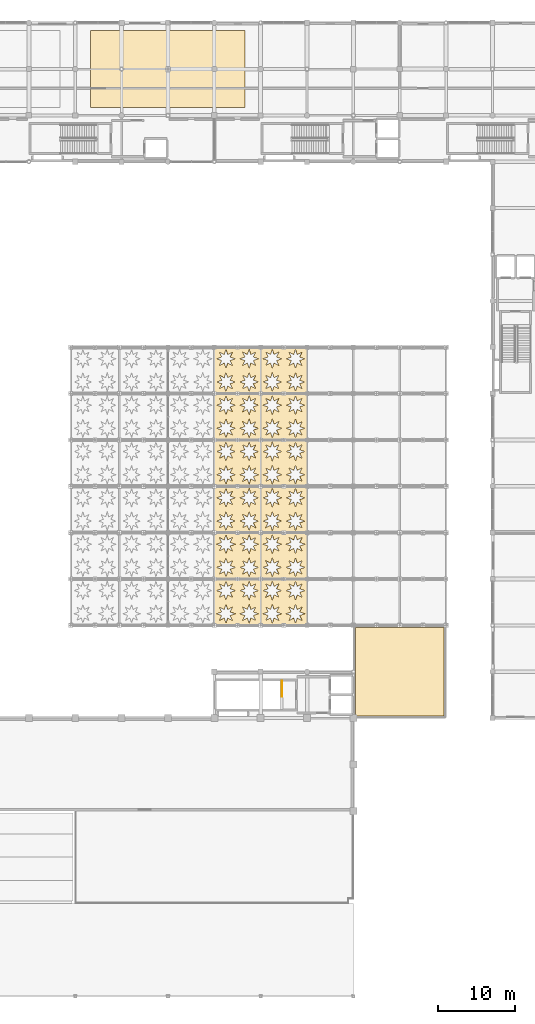
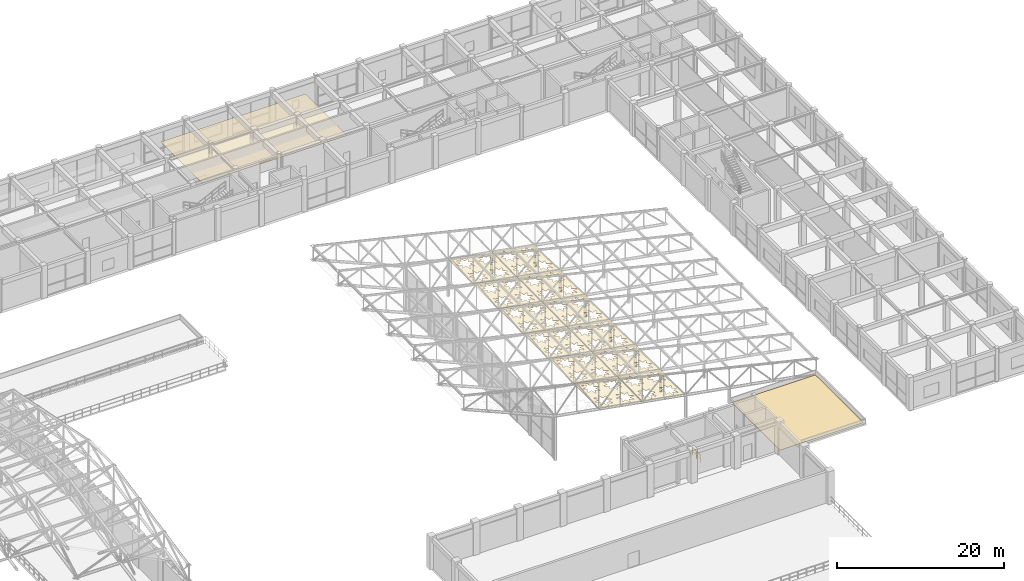
# One storey, part 111 of 112: 14 coverings, 1 railing.
"""IFC4 building model written with IfcOpenShell, lengths in metres."""

from ifc_helpers import new_model, si_unit, direction, frame, origin, origin_2d, place, context, subcontext, project, spatial, polyline, circle, outline, extrude, material, layer, layer_set, type_object, element, save


model = new_model("IFC4")

# Units and contexts
model_context = context("Model", 3, precision=1e-05, world=origin(), true_north=direction((0.0, 1.0)))
body_context = subcontext(model_context, "Body", "Model", "MODEL_VIEW")
ifc_project = project(units=[si_unit("LENGTHUNIT", "METRE"), si_unit("AREAUNIT", "SQUARE_METRE"), si_unit("VOLUMEUNIT", "CUBIC_METRE"), si_unit("PLANEANGLEUNIT", "RADIAN"), si_unit("MASSUNIT", "GRAM", prefix="KILO"), si_unit("THERMODYNAMICTEMPERATUREUNIT", "KELVIN"), si_unit("POWERUNIT", "WATT")], contexts=[model_context])

# Site, building, storey
site_placement = place(None, origin())
site = spatial("IfcSite", under=ifc_project, at=site_placement, CompositionType="ELEMENT")
building_placement = place(site_placement, origin())
building = spatial("IfcBuilding", under=site, at=building_placement, Name="Phaisarnlok Congress Hotel", CompositionType="ELEMENT")
storey_placement = place(building_placement, frame((0.0, 0.0, 19.800048828125)))
storey = spatial("IfcBuildingStorey", under=building, at=storey_placement, Name="L04", CompositionType="ELEMENT", Elevation=19.800048828125)

# Coverings
ifc_material_1 = material(Name="Perforated Timber & Mineral-Fibre Acoustic Ceiling", Category="wood")
ifc_layer_1 = layer(ifc_material_1, 0.01806640625, Name="Perforated Timber & Mineral-Fibre Acoustic Ceiling")
ifc_layer_set_1 = layer_set([ifc_layer_1], Name="Perforated Timber & Mineral-Fibre Acoustic Ceiling")
covering_type_1 = type_object("IfcCoveringType", Name="CLG-AC-18", PredefinedType="CEILING", material=ifc_layer_set_1)
covering_1_placement = place(storey_placement, frame((0.0, 0.0, 3.199951171875)))
element("IfcCovering", 1, at=covering_1_placement, inside=storey, type_object=covering_type_1, Name="Suspended ceiling CLG-01 (L04)", PredefinedType="CEILING", context=body_context, shape_type="SweptSolid", body=[
    extrude(outline(polyline([(110.0, 115.0), (110.0, 125.0), (130.0, 125.0), (130.0, 115.0), (110.0, 115.0)])), origin(), (0.0, 0.0, 1.0), 0.01806640625),
])
ifc_material_2 = material(Name="TPO Waterproofing Membrane & Rigid PIR Insulation", Category="other")
ifc_layer_2 = layer(ifc_material_2, 0.050048828125, Name="TPO Waterproofing Membrane & Rigid PIR Insulation")
ifc_layer_set_2 = layer_set([ifc_layer_2], Name="TPO Waterproofing Membrane & Rigid PIR Insulation")
covering_type_2 = type_object("IfcCoveringType", Name="COV-ROOF-MEMB", PredefinedType="ROOFING", material=ifc_layer_set_2)
covering_2_placement = place(storey_placement, origin())
element("IfcCovering", 2, at=covering_2_placement, inside=storey, type_object=covering_type_2, Name="Podium roof waterproofing membrane RF-01 (L04 pod_sec_se)", PredefinedType="ROOFING", context=body_context, shape_type="SweptSolid", body=[
    extrude(outline(polyline([(144.25, 36.25), (155.75, 36.25), (155.75, 47.75), (144.25, 47.75), (144.25, 36.25)])), origin(), (0.0, 0.0, 1.0), 0.050048828125),
])
ifc_material_3 = material(Name="Perforated Acoustic Aluminium Soffit Panel", Category="aluminium")
ifc_layer_3 = layer(ifc_material_3, 0.044921875, Name="Perforated Acoustic Aluminium Soffit Panel")
ifc_layer_set_3 = layer_set([ifc_layer_3], Name="Perforated Acoustic Aluminium Soffit Panel")
covering_type_3 = type_object("IfcCoveringType", Name="COV-SOFFIT-STAR", PredefinedType="CLADDING", material=ifc_layer_set_3)
covering_3_placement = place(storey_placement, frame((138.0, 48.0, 3.219970703125), z_axis=(0.175030745743, 0.0, 0.984562968044), x_axis=(0.0, 1.0, 0.0)))
element("IfcCovering", 3, at=covering_3_placement, inside=storey, type_object=covering_type_3, Name="Cloister wing roof star-pierced acoustic soffit panel CL-01", PredefinedType="CLADDING", context=body_context, shape_type="SweptSolid", body=[
    extrude(outline(polyline([(0.0, 0.0), (6.0, 0.0), (6.0, 6.094074421585321), (0.0, 6.094074421585321), (0.0, 0.0)]), holes=[polyline([(2.0455, 1.2976), (2.3697, 0.6538), (1.7259, 0.9781), (1.5, 0.2935), (1.2741, 0.9781), (0.6303, 0.6538), (0.9545, 1.2976), (0.27, 1.5235), (0.9545, 1.7495), (0.6303, 2.3933), (1.2741, 2.069), (1.5, 2.7535), (1.7259, 2.069), (2.3697, 2.3933), (2.0455, 1.7495), (2.73, 1.5235), (2.0455, 1.2976)]), polyline([(2.0455, 4.3446), (2.3697, 3.7008), (1.7259, 4.0251), (1.5, 3.3406), (1.2741, 4.0251), (0.6303, 3.7008), (0.9545, 4.3446), (0.27, 4.5706), (0.9545, 4.7965), (0.6303, 5.4403), (1.2741, 5.116), (1.5, 5.8006), (1.7259, 5.116), (2.3697, 5.4403), (2.0455, 4.7965), (2.73, 4.5706), (2.0455, 4.3446)]), polyline([(5.0455, 1.2976), (5.3697, 0.6538), (4.7259, 0.9781), (4.5, 0.2935), (4.2741, 0.9781), (3.6303, 0.6538), (3.9545, 1.2976), (3.27, 1.5235), (3.9545, 1.7495), (3.6303, 2.3933), (4.2741, 2.069), (4.5, 2.7535), (4.7259, 2.069), (5.3697, 2.3933), (5.0455, 1.7495), (5.73, 1.5235), (5.0455, 1.2976)]), polyline([(5.0455, 4.3446), (5.3697, 3.7008), (4.7259, 4.0251), (4.5, 3.3406), (4.2741, 4.0251), (3.6303, 3.7008), (3.9545, 4.3446), (3.27, 4.5706), (3.9545, 4.7965), (3.6303, 5.4403), (4.2741, 5.116), (4.5, 5.8006), (4.7259, 5.116), (5.3697, 5.4403), (5.0455, 4.7965), (5.73, 4.5706), (5.0455, 4.3446)])]), origin(), (0.0, 0.0, 1.0), 0.044921875),
])
covering_4_placement = place(storey_placement, frame((132.0, 48.0, 4.28662109375), z_axis=(0.175030745743, 0.0, 0.984562968044), x_axis=(0.0, 1.0, 0.0)))
element("IfcCovering", 4, at=covering_4_placement, inside=storey, type_object=covering_type_3, Name="Cloister wing roof star-pierced acoustic soffit panel CL-01", PredefinedType="CLADDING", context=body_context, shape_type="SweptSolid", body=[
    extrude(outline(polyline([(0.0, 0.0), (6.0, 0.0), (6.0, 6.094074421585321), (0.0, 6.094074421585321), (0.0, 0.0)]), holes=[polyline([(2.0455, 1.2976), (2.3697, 0.6538), (1.7259, 0.9781), (1.5, 0.2935), (1.2741, 0.9781), (0.6303, 0.6538), (0.9545, 1.2976), (0.27, 1.5235), (0.9545, 1.7495), (0.6303, 2.3933), (1.2741, 2.069), (1.5, 2.7535), (1.7259, 2.069), (2.3697, 2.3933), (2.0455, 1.7495), (2.73, 1.5235), (2.0455, 1.2976)]), polyline([(2.0455, 4.3446), (2.3697, 3.7008), (1.7259, 4.0251), (1.5, 3.3405), (1.2741, 4.0251), (0.6303, 3.7008), (0.9545, 4.3446), (0.27, 4.5705), (0.9545, 4.7965), (0.6303, 5.4403), (1.2741, 5.116), (1.5, 5.8005), (1.7259, 5.116), (2.3697, 5.4403), (2.0455, 4.7965), (2.73, 4.5705), (2.0455, 4.3446)]), polyline([(5.0455, 1.2976), (5.3697, 0.6538), (4.7259, 0.9781), (4.5, 0.2935), (4.2741, 0.9781), (3.6303, 0.6538), (3.9545, 1.2976), (3.27, 1.5235), (3.9545, 1.7495), (3.6303, 2.3933), (4.2741, 2.069), (4.5, 2.7535), (4.7259, 2.069), (5.3697, 2.3933), (5.0455, 1.7495), (5.73, 1.5235), (5.0455, 1.2976)]), polyline([(5.0455, 4.3446), (5.3697, 3.7008), (4.7259, 4.0251), (4.5, 3.3405), (4.2741, 4.0251), (3.6303, 3.7008), (3.9545, 4.3446), (3.27, 4.5705), (3.9545, 4.7965), (3.6303, 5.4403), (4.2741, 5.116), (4.5, 5.8005), (4.7259, 5.116), (5.3697, 5.4403), (5.0455, 4.7965), (5.73, 4.5705), (5.0455, 4.3446)])]), origin(), (0.0, 0.0, 1.0), 0.044921875),
])
covering_5_placement = place(storey_placement, frame((138.0, 54.0, 3.219970703125), z_axis=(0.175030745743, 0.0, 0.984562968044), x_axis=(0.0, 1.0, 0.0)))
element("IfcCovering", 5, at=covering_5_placement, inside=storey, type_object=covering_type_3, Name="Cloister wing roof star-pierced acoustic soffit panel CL-01", PredefinedType="CLADDING", context=body_context, shape_type="SweptSolid", body=[
    extrude(outline(polyline([(0.0, 0.0), (6.0, 0.0), (6.0, 6.094074421585321), (0.0, 6.094074421585321), (0.0, 0.0)]), holes=[polyline([(2.0455, 1.2976), (2.3697, 0.6538), (1.7259, 0.9781), (1.5, 0.2935), (1.2741, 0.9781), (0.6303, 0.6538), (0.9545, 1.2976), (0.27, 1.5235), (0.9545, 1.7495), (0.6303, 2.3933), (1.2741, 2.069), (1.5, 2.7535), (1.7259, 2.069), (2.3697, 2.3933), (2.0455, 1.7495), (2.73, 1.5235), (2.0455, 1.2976)]), polyline([(2.0455, 4.3446), (2.3697, 3.7008), (1.7259, 4.0251), (1.5, 3.3406), (1.2741, 4.0251), (0.6303, 3.7008), (0.9545, 4.3446), (0.27, 4.5706), (0.9545, 4.7965), (0.6303, 5.4403), (1.2741, 5.116), (1.5, 5.8006), (1.7259, 5.116), (2.3697, 5.4403), (2.0455, 4.7965), (2.73, 4.5706), (2.0455, 4.3446)]), polyline([(5.0455, 1.2976), (5.3697, 0.6538), (4.7259, 0.9781), (4.5, 0.2935), (4.2741, 0.9781), (3.6303, 0.6538), (3.9545, 1.2976), (3.27, 1.5235), (3.9545, 1.7495), (3.6303, 2.3933), (4.2741, 2.069), (4.5, 2.7535), (4.7259, 2.069), (5.3697, 2.3933), (5.0455, 1.7495), (5.73, 1.5235), (5.0455, 1.2976)]), polyline([(5.0455, 4.3446), (5.3697, 3.7008), (4.7259, 4.0251), (4.5, 3.3406), (4.2741, 4.0251), (3.6303, 3.7008), (3.9545, 4.3446), (3.27, 4.5706), (3.9545, 4.7965), (3.6303, 5.4403), (4.2741, 5.116), (4.5, 5.8006), (4.7259, 5.116), (5.3697, 5.4403), (5.0455, 4.7965), (5.73, 4.5706), (5.0455, 4.3446)])]), origin(), (0.0, 0.0, 1.0), 0.044921875),
])
covering_6_placement = place(storey_placement, frame((132.0, 54.0, 4.28662109375), z_axis=(0.175030745743, 0.0, 0.984562968044), x_axis=(0.0, 1.0, 0.0)))
element("IfcCovering", 6, at=covering_6_placement, inside=storey, type_object=covering_type_3, Name="Cloister wing roof star-pierced acoustic soffit panel CL-01", PredefinedType="CLADDING", context=body_context, shape_type="SweptSolid", body=[
    extrude(outline(polyline([(0.0, 0.0), (6.0, 0.0), (6.0, 6.094074421585321), (0.0, 6.094074421585321), (0.0, 0.0)]), holes=[polyline([(2.0455, 1.2976), (2.3697, 0.6538), (1.7259, 0.9781), (1.5, 0.2935), (1.2741, 0.9781), (0.6303, 0.6538), (0.9545, 1.2976), (0.27, 1.5235), (0.9545, 1.7495), (0.6303, 2.3933), (1.2741, 2.069), (1.5, 2.7535), (1.7259, 2.069), (2.3697, 2.3933), (2.0455, 1.7495), (2.73, 1.5235), (2.0455, 1.2976)]), polyline([(2.0455, 4.3446), (2.3697, 3.7008), (1.7259, 4.0251), (1.5, 3.3405), (1.2741, 4.0251), (0.6303, 3.7008), (0.9545, 4.3446), (0.27, 4.5705), (0.9545, 4.7965), (0.6303, 5.4403), (1.2741, 5.116), (1.5, 5.8005), (1.7259, 5.116), (2.3697, 5.4403), (2.0455, 4.7965), (2.73, 4.5705), (2.0455, 4.3446)]), polyline([(5.0455, 1.2976), (5.3697, 0.6538), (4.7259, 0.9781), (4.5, 0.2935), (4.2741, 0.9781), (3.6303, 0.6538), (3.9545, 1.2976), (3.27, 1.5235), (3.9545, 1.7495), (3.6303, 2.3933), (4.2741, 2.069), (4.5, 2.7535), (4.7259, 2.069), (5.3697, 2.3933), (5.0455, 1.7495), (5.73, 1.5235), (5.0455, 1.2976)]), polyline([(5.0455, 4.3446), (5.3697, 3.7008), (4.7259, 4.0251), (4.5, 3.3405), (4.2741, 4.0251), (3.6303, 3.7008), (3.9545, 4.3446), (3.27, 4.5705), (3.9545, 4.7965), (3.6303, 5.4403), (4.2741, 5.116), (4.5, 5.8005), (4.7259, 5.116), (5.3697, 5.4403), (5.0455, 4.7965), (5.73, 4.5705), (5.0455, 4.3446)])]), origin(), (0.0, 0.0, 1.0), 0.044921875),
])
covering_7_placement = place(storey_placement, frame((138.0, 60.0, 3.219970703125), z_axis=(0.175030745743, 0.0, 0.984562968044), x_axis=(0.0, 1.0, 0.0)))
element("IfcCovering", 7, at=covering_7_placement, inside=storey, type_object=covering_type_3, Name="Cloister wing roof star-pierced acoustic soffit panel CL-01", PredefinedType="CLADDING", context=body_context, shape_type="SweptSolid", body=[
    extrude(outline(polyline([(0.0, 0.0), (6.0, 0.0), (6.0, 6.094074421585321), (0.0, 6.094074421585321), (0.0, 0.0)]), holes=[polyline([(2.0455, 1.2976), (2.3697, 0.6538), (1.7259, 0.9781), (1.5, 0.2935), (1.2741, 0.9781), (0.6303, 0.6538), (0.9545, 1.2976), (0.27, 1.5235), (0.9545, 1.7495), (0.6303, 2.3933), (1.2741, 2.069), (1.5, 2.7535), (1.7259, 2.069), (2.3697, 2.3933), (2.0455, 1.7495), (2.73, 1.5235), (2.0455, 1.2976)]), polyline([(2.0455, 4.3446), (2.3697, 3.7008), (1.7259, 4.0251), (1.5, 3.3406), (1.2741, 4.0251), (0.6303, 3.7008), (0.9545, 4.3446), (0.27, 4.5706), (0.9545, 4.7965), (0.6303, 5.4403), (1.2741, 5.116), (1.5, 5.8006), (1.7259, 5.116), (2.3697, 5.4403), (2.0455, 4.7965), (2.73, 4.5706), (2.0455, 4.3446)]), polyline([(5.0455, 1.2976), (5.3697, 0.6538), (4.7259, 0.9781), (4.5, 0.2935), (4.2741, 0.9781), (3.6303, 0.6538), (3.9545, 1.2976), (3.27, 1.5235), (3.9545, 1.7495), (3.6303, 2.3933), (4.2741, 2.069), (4.5, 2.7535), (4.7259, 2.069), (5.3697, 2.3933), (5.0455, 1.7495), (5.73, 1.5235), (5.0455, 1.2976)]), polyline([(5.0455, 4.3446), (5.3697, 3.7008), (4.7259, 4.0251), (4.5, 3.3406), (4.2741, 4.0251), (3.6303, 3.7008), (3.9545, 4.3446), (3.27, 4.5706), (3.9545, 4.7965), (3.6303, 5.4403), (4.2741, 5.116), (4.5, 5.8006), (4.7259, 5.116), (5.3697, 5.4403), (5.0455, 4.7965), (5.73, 4.5706), (5.0455, 4.3446)])]), origin(), (0.0, 0.0, 1.0), 0.044921875),
])
covering_8_placement = place(storey_placement, frame((132.0, 60.0, 4.28662109375), z_axis=(0.175030745743, 0.0, 0.984562968044), x_axis=(0.0, 1.0, 0.0)))
element("IfcCovering", 8, at=covering_8_placement, inside=storey, type_object=covering_type_3, Name="Cloister wing roof star-pierced acoustic soffit panel CL-01", PredefinedType="CLADDING", context=body_context, shape_type="SweptSolid", body=[
    extrude(outline(polyline([(0.0, 0.0), (6.0, 0.0), (6.0, 6.094074421585321), (0.0, 6.094074421585321), (0.0, 0.0)]), holes=[polyline([(2.0455, 1.2976), (2.3697, 0.6538), (1.7259, 0.9781), (1.5, 0.2935), (1.2741, 0.9781), (0.6303, 0.6538), (0.9545, 1.2976), (0.27, 1.5235), (0.9545, 1.7495), (0.6303, 2.3933), (1.2741, 2.069), (1.5, 2.7535), (1.7259, 2.069), (2.3697, 2.3933), (2.0455, 1.7495), (2.73, 1.5235), (2.0455, 1.2976)]), polyline([(2.0455, 4.3446), (2.3697, 3.7008), (1.7259, 4.0251), (1.5, 3.3405), (1.2741, 4.0251), (0.6303, 3.7008), (0.9545, 4.3446), (0.27, 4.5705), (0.9545, 4.7965), (0.6303, 5.4403), (1.2741, 5.116), (1.5, 5.8005), (1.7259, 5.116), (2.3697, 5.4403), (2.0455, 4.7965), (2.73, 4.5705), (2.0455, 4.3446)]), polyline([(5.0455, 1.2976), (5.3697, 0.6538), (4.7259, 0.9781), (4.5, 0.2935), (4.2741, 0.9781), (3.6303, 0.6538), (3.9545, 1.2976), (3.27, 1.5235), (3.9545, 1.7495), (3.6303, 2.3933), (4.2741, 2.069), (4.5, 2.7535), (4.7259, 2.069), (5.3697, 2.3933), (5.0455, 1.7495), (5.73, 1.5235), (5.0455, 1.2976)]), polyline([(5.0455, 4.3446), (5.3697, 3.7008), (4.7259, 4.0251), (4.5, 3.3405), (4.2741, 4.0251), (3.6303, 3.7008), (3.9545, 4.3446), (3.27, 4.5705), (3.9545, 4.7965), (3.6303, 5.4403), (4.2741, 5.116), (4.5, 5.8005), (4.7259, 5.116), (5.3697, 5.4403), (5.0455, 4.7965), (5.73, 4.5705), (5.0455, 4.3446)])]), origin(), (0.0, 0.0, 1.0), 0.044921875),
])
covering_9_placement = place(storey_placement, frame((138.0, 66.0, 3.219970703125), z_axis=(0.175030745743, 0.0, 0.984562968044), x_axis=(0.0, 1.0, 0.0)))
element("IfcCovering", 9, at=covering_9_placement, inside=storey, type_object=covering_type_3, Name="Cloister wing roof star-pierced acoustic soffit panel CL-01", PredefinedType="CLADDING", context=body_context, shape_type="SweptSolid", body=[
    extrude(outline(polyline([(0.0, 0.0), (6.0, 0.0), (6.0, 6.094074421585321), (0.0, 6.094074421585321), (0.0, 0.0)]), holes=[polyline([(2.0455, 1.2976), (2.3697, 0.6538), (1.7259, 0.9781), (1.5, 0.2935), (1.2741, 0.9781), (0.6303, 0.6538), (0.9545, 1.2976), (0.27, 1.5235), (0.9545, 1.7495), (0.6303, 2.3933), (1.2741, 2.069), (1.5, 2.7535), (1.7259, 2.069), (2.3697, 2.3933), (2.0455, 1.7495), (2.73, 1.5235), (2.0455, 1.2976)]), polyline([(2.0455, 4.3446), (2.3697, 3.7008), (1.7259, 4.0251), (1.5, 3.3406), (1.2741, 4.0251), (0.6303, 3.7008), (0.9545, 4.3446), (0.27, 4.5706), (0.9545, 4.7965), (0.6303, 5.4403), (1.2741, 5.116), (1.5, 5.8006), (1.7259, 5.116), (2.3697, 5.4403), (2.0455, 4.7965), (2.73, 4.5706), (2.0455, 4.3446)]), polyline([(5.0455, 1.2976), (5.3697, 0.6538), (4.7259, 0.9781), (4.5, 0.2935), (4.2741, 0.9781), (3.6303, 0.6538), (3.9545, 1.2976), (3.27, 1.5235), (3.9545, 1.7495), (3.6303, 2.3933), (4.2741, 2.069), (4.5, 2.7535), (4.7259, 2.069), (5.3697, 2.3933), (5.0455, 1.7495), (5.73, 1.5235), (5.0455, 1.2976)]), polyline([(5.0455, 4.3446), (5.3697, 3.7008), (4.7259, 4.0251), (4.5, 3.3406), (4.2741, 4.0251), (3.6303, 3.7008), (3.9545, 4.3446), (3.27, 4.5706), (3.9545, 4.7965), (3.6303, 5.4403), (4.2741, 5.116), (4.5, 5.8006), (4.7259, 5.116), (5.3697, 5.4403), (5.0455, 4.7965), (5.73, 4.5706), (5.0455, 4.3446)])]), origin(), (0.0, 0.0, 1.0), 0.044921875),
])
covering_10_placement = place(storey_placement, frame((132.0, 66.0, 4.28662109375), z_axis=(0.175030745743, 0.0, 0.984562968044), x_axis=(0.0, 1.0, 0.0)))
element("IfcCovering", 10, at=covering_10_placement, inside=storey, type_object=covering_type_3, Name="Cloister wing roof star-pierced acoustic soffit panel CL-01", PredefinedType="CLADDING", context=body_context, shape_type="SweptSolid", body=[
    extrude(outline(polyline([(0.0, 0.0), (6.0, 0.0), (6.0, 6.094074421585321), (0.0, 6.094074421585321), (0.0, 0.0)]), holes=[polyline([(2.0455, 1.2976), (2.3697, 0.6538), (1.7259, 0.9781), (1.5, 0.2935), (1.2741, 0.9781), (0.6303, 0.6538), (0.9545, 1.2976), (0.27, 1.5235), (0.9545, 1.7495), (0.6303, 2.3933), (1.2741, 2.069), (1.5, 2.7535), (1.7259, 2.069), (2.3697, 2.3933), (2.0455, 1.7495), (2.73, 1.5235), (2.0455, 1.2976)]), polyline([(2.0455, 4.3446), (2.3697, 3.7008), (1.7259, 4.0251), (1.5, 3.3405), (1.2741, 4.0251), (0.6303, 3.7008), (0.9545, 4.3446), (0.27, 4.5705), (0.9545, 4.7965), (0.6303, 5.4403), (1.2741, 5.116), (1.5, 5.8005), (1.7259, 5.116), (2.3697, 5.4403), (2.0455, 4.7965), (2.73, 4.5705), (2.0455, 4.3446)]), polyline([(5.0455, 1.2976), (5.3697, 0.6538), (4.7259, 0.9781), (4.5, 0.2935), (4.2741, 0.9781), (3.6303, 0.6538), (3.9545, 1.2976), (3.27, 1.5235), (3.9545, 1.7495), (3.6303, 2.3933), (4.2741, 2.069), (4.5, 2.7535), (4.7259, 2.069), (5.3697, 2.3933), (5.0455, 1.7495), (5.73, 1.5235), (5.0455, 1.2976)]), polyline([(5.0455, 4.3446), (5.3697, 3.7008), (4.7259, 4.0251), (4.5, 3.3405), (4.2741, 4.0251), (3.6303, 3.7008), (3.9545, 4.3446), (3.27, 4.5705), (3.9545, 4.7965), (3.6303, 5.4403), (4.2741, 5.116), (4.5, 5.8005), (4.7259, 5.116), (5.3697, 5.4403), (5.0455, 4.7965), (5.73, 4.5705), (5.0455, 4.3446)])]), origin(), (0.0, 0.0, 1.0), 0.044921875),
])
covering_11_placement = place(storey_placement, frame((138.0, 72.0, 3.219970703125), z_axis=(0.175030745743, 0.0, 0.984562968044), x_axis=(0.0, 1.0, 0.0)))
element("IfcCovering", 11, at=covering_11_placement, inside=storey, type_object=covering_type_3, Name="Cloister wing roof star-pierced acoustic soffit panel CL-01", PredefinedType="CLADDING", context=body_context, shape_type="SweptSolid", body=[
    extrude(outline(polyline([(0.0, 0.0), (6.0, 0.0), (6.0, 6.094074421585321), (0.0, 6.094074421585321), (0.0, 0.0)]), holes=[polyline([(2.0455, 1.2976), (2.3697, 0.6538), (1.7259, 0.9781), (1.5, 0.2935), (1.2741, 0.9781), (0.6303, 0.6538), (0.9545, 1.2976), (0.27, 1.5235), (0.9545, 1.7495), (0.6303, 2.3933), (1.2741, 2.069), (1.5, 2.7535), (1.7259, 2.069), (2.3697, 2.3933), (2.0455, 1.7495), (2.73, 1.5235), (2.0455, 1.2976)]), polyline([(2.0455, 4.3446), (2.3697, 3.7008), (1.7259, 4.0251), (1.5, 3.3406), (1.2741, 4.0251), (0.6303, 3.7008), (0.9545, 4.3446), (0.27, 4.5706), (0.9545, 4.7965), (0.6303, 5.4403), (1.2741, 5.116), (1.5, 5.8006), (1.7259, 5.116), (2.3697, 5.4403), (2.0455, 4.7965), (2.73, 4.5706), (2.0455, 4.3446)]), polyline([(5.0455, 1.2976), (5.3697, 0.6538), (4.7259, 0.9781), (4.5, 0.2935), (4.2741, 0.9781), (3.6303, 0.6538), (3.9545, 1.2976), (3.27, 1.5235), (3.9545, 1.7495), (3.6303, 2.3933), (4.2741, 2.069), (4.5, 2.7535), (4.7259, 2.069), (5.3697, 2.3933), (5.0455, 1.7495), (5.73, 1.5235), (5.0455, 1.2976)]), polyline([(5.0455, 4.3446), (5.3697, 3.7008), (4.7259, 4.0251), (4.5, 3.3406), (4.2741, 4.0251), (3.6303, 3.7008), (3.9545, 4.3446), (3.27, 4.5706), (3.9545, 4.7965), (3.6303, 5.4403), (4.2741, 5.116), (4.5, 5.8006), (4.7259, 5.116), (5.3697, 5.4403), (5.0455, 4.7965), (5.73, 4.5706), (5.0455, 4.3446)])]), origin(), (0.0, 0.0, 1.0), 0.044921875),
])
covering_12_placement = place(storey_placement, frame((132.0, 72.0, 4.28662109375), z_axis=(0.175030745743, 0.0, 0.984562968044), x_axis=(0.0, 1.0, 0.0)))
element("IfcCovering", 12, at=covering_12_placement, inside=storey, type_object=covering_type_3, Name="Cloister wing roof star-pierced acoustic soffit panel CL-01", PredefinedType="CLADDING", context=body_context, shape_type="SweptSolid", body=[
    extrude(outline(polyline([(0.0, 0.0), (6.0, 0.0), (6.0, 6.094074421585321), (0.0, 6.094074421585321), (0.0, 0.0)]), holes=[polyline([(2.0455, 1.2976), (2.3697, 0.6538), (1.7259, 0.9781), (1.5, 0.2935), (1.2741, 0.9781), (0.6303, 0.6538), (0.9545, 1.2976), (0.27, 1.5235), (0.9545, 1.7495), (0.6303, 2.3933), (1.2741, 2.069), (1.5, 2.7535), (1.7259, 2.069), (2.3697, 2.3933), (2.0455, 1.7495), (2.73, 1.5235), (2.0455, 1.2976)]), polyline([(2.0455, 4.3446), (2.3697, 3.7008), (1.7259, 4.0251), (1.5, 3.3405), (1.2741, 4.0251), (0.6303, 3.7008), (0.9545, 4.3446), (0.27, 4.5705), (0.9545, 4.7965), (0.6303, 5.4403), (1.2741, 5.116), (1.5, 5.8005), (1.7259, 5.116), (2.3697, 5.4403), (2.0455, 4.7965), (2.73, 4.5705), (2.0455, 4.3446)]), polyline([(5.0455, 1.2976), (5.3697, 0.6538), (4.7259, 0.9781), (4.5, 0.2935), (4.2741, 0.9781), (3.6303, 0.6538), (3.9545, 1.2976), (3.27, 1.5235), (3.9545, 1.7495), (3.6303, 2.3933), (4.2741, 2.069), (4.5, 2.7535), (4.7259, 2.069), (5.3697, 2.3933), (5.0455, 1.7495), (5.73, 1.5235), (5.0455, 1.2976)]), polyline([(5.0455, 4.3446), (5.3697, 3.7008), (4.7259, 4.0251), (4.5, 3.3405), (4.2741, 4.0251), (3.6303, 3.7008), (3.9545, 4.3446), (3.27, 4.5705), (3.9545, 4.7965), (3.6303, 5.4403), (4.2741, 5.116), (4.5, 5.8005), (4.7259, 5.116), (5.3697, 5.4403), (5.0455, 4.7965), (5.73, 4.5705), (5.0455, 4.3446)])]), origin(), (0.0, 0.0, 1.0), 0.044921875),
])
covering_13_placement = place(storey_placement, frame((138.0, 78.0, 3.219970703125), z_axis=(0.175030745743, 0.0, 0.984562968044), x_axis=(0.0, 1.0, 0.0)))
element("IfcCovering", 13, at=covering_13_placement, inside=storey, type_object=covering_type_3, Name="Cloister wing roof star-pierced acoustic soffit panel CL-01", PredefinedType="CLADDING", context=body_context, shape_type="SweptSolid", body=[
    extrude(outline(polyline([(0.0, 0.0), (6.0, 0.0), (6.0, 6.094074421585321), (0.0, 6.094074421585321), (0.0, 0.0)]), holes=[polyline([(2.0455, 1.2976), (2.3697, 0.6538), (1.7259, 0.9781), (1.5, 0.2935), (1.2741, 0.9781), (0.6303, 0.6538), (0.9545, 1.2976), (0.27, 1.5235), (0.9545, 1.7495), (0.6303, 2.3933), (1.2741, 2.069), (1.5, 2.7535), (1.7259, 2.069), (2.3697, 2.3933), (2.0455, 1.7495), (2.73, 1.5235), (2.0455, 1.2976)]), polyline([(2.0455, 4.3446), (2.3697, 3.7008), (1.7259, 4.0251), (1.5, 3.3406), (1.2741, 4.0251), (0.6303, 3.7008), (0.9545, 4.3446), (0.27, 4.5706), (0.9545, 4.7965), (0.6303, 5.4403), (1.2741, 5.116), (1.5, 5.8006), (1.7259, 5.116), (2.3697, 5.4403), (2.0455, 4.7965), (2.73, 4.5706), (2.0455, 4.3446)]), polyline([(5.0455, 1.2976), (5.3697, 0.6538), (4.7259, 0.9781), (4.5, 0.2935), (4.2741, 0.9781), (3.6303, 0.6538), (3.9545, 1.2976), (3.27, 1.5235), (3.9545, 1.7495), (3.6303, 2.3933), (4.2741, 2.069), (4.5, 2.7535), (4.7259, 2.069), (5.3697, 2.3933), (5.0455, 1.7495), (5.73, 1.5235), (5.0455, 1.2976)]), polyline([(5.0455, 4.3446), (5.3697, 3.7008), (4.7259, 4.0251), (4.5, 3.3406), (4.2741, 4.0251), (3.6303, 3.7008), (3.9545, 4.3446), (3.27, 4.5706), (3.9545, 4.7965), (3.6303, 5.4403), (4.2741, 5.116), (4.5, 5.8006), (4.7259, 5.116), (5.3697, 5.4403), (5.0455, 4.7965), (5.73, 4.5706), (5.0455, 4.3446)])]), origin(), (0.0, 0.0, 1.0), 0.044921875),
])
covering_14_placement = place(storey_placement, frame((132.0, 78.0, 4.28662109375), z_axis=(0.175030745743, 0.0, 0.984562968044), x_axis=(0.0, 1.0, 0.0)))
element("IfcCovering", 14, at=covering_14_placement, inside=storey, type_object=covering_type_3, Name="Cloister wing roof star-pierced acoustic soffit panel CL-01", PredefinedType="CLADDING", context=body_context, shape_type="SweptSolid", body=[
    extrude(outline(polyline([(0.0, 0.0), (6.0, 0.0), (6.0, 6.094074421585321), (0.0, 6.094074421585321), (0.0, 0.0)]), holes=[polyline([(2.0455, 1.2976), (2.3697, 0.6538), (1.7259, 0.9781), (1.5, 0.2935), (1.2741, 0.9781), (0.6303, 0.6538), (0.9545, 1.2976), (0.27, 1.5235), (0.9545, 1.7495), (0.6303, 2.3933), (1.2741, 2.069), (1.5, 2.7535), (1.7259, 2.069), (2.3697, 2.3933), (2.0455, 1.7495), (2.73, 1.5235), (2.0455, 1.2976)]), polyline([(2.0455, 4.3446), (2.3697, 3.7008), (1.7259, 4.0251), (1.5, 3.3405), (1.2741, 4.0251), (0.6303, 3.7008), (0.9545, 4.3446), (0.27, 4.5705), (0.9545, 4.7965), (0.6303, 5.4403), (1.2741, 5.116), (1.5, 5.8005), (1.7259, 5.116), (2.3697, 5.4403), (2.0455, 4.7965), (2.73, 4.5705), (2.0455, 4.3446)]), polyline([(5.0455, 1.2976), (5.3697, 0.6538), (4.7259, 0.9781), (4.5, 0.2935), (4.2741, 0.9781), (3.6303, 0.6538), (3.9545, 1.2976), (3.27, 1.5235), (3.9545, 1.7495), (3.6303, 2.3933), (4.2741, 2.069), (4.5, 2.7535), (4.7259, 2.069), (5.3697, 2.3933), (5.0455, 1.7495), (5.73, 1.5235), (5.0455, 1.2976)]), polyline([(5.0455, 4.3446), (5.3697, 3.7008), (4.7259, 4.0251), (4.5, 3.3405), (4.2741, 4.0251), (3.6303, 3.7008), (3.9545, 4.3446), (3.27, 4.5705), (3.9545, 4.7965), (3.6303, 5.4403), (4.2741, 5.116), (4.5, 5.8005), (4.7259, 5.116), (5.3697, 5.4403), (5.0455, 4.7965), (5.73, 4.5705), (5.0455, 4.3446)])]), origin(), (0.0, 0.0, 1.0), 0.044921875),
])

# Railing
ifc_material_4 = material(Name="Painted Galvanised Steel S275", Category="steel")
railing_type = type_object("IfcRailingType", Name="RLG-STR-GUARD", PredefinedType="BALUSTRADE", material=ifc_material_4)
railing_placement = place(storey_placement, frame((134.77001953125, 40.800048828125, 0.0)))
element("IfcRailing", 15, at=railing_placement, inside=storey, type_object=railing_type, Name="L04 ST-02 top well guard 1", PredefinedType="BALUSTRADE", context=body_context, shape_type="SweptSolid", body=[
    extrude(circle(Radius=0.02392578125, at=origin_2d()), frame((0.0, 0.0, 1.076171875), z_axis=(0.0, -1.0, 0.0), x_axis=(1.0, 0.0, 0.0)), (0.0, 0.0, 1.0), 2.02001953125),
    extrude(circle(Radius=0.02392578125, at=origin_2d()), frame((0.0, 0.0, 0.52587890625), z_axis=(0.0, -1.0, 0.0), x_axis=(1.0, 0.0, 0.0)), (0.0, 0.0, 1.0), 2.02001953125),
    extrude(circle(Radius=0.02099609375, at=origin_2d()), origin(), (0.0, 0.0, 1.0), 1.052001953125),
    extrude(circle(Radius=0.02099609375, at=origin_2d()), frame((0.0, -1.010009765625, 0.0)), (0.0, 0.0, 1.0), 1.052001953125),
    extrude(circle(Radius=0.02099609375, at=origin_2d()), frame((0.0, -2.02001953125, 0.0)), (0.0, 0.0, 1.0), 1.052001953125),
])

save(model, "model.ifc")
